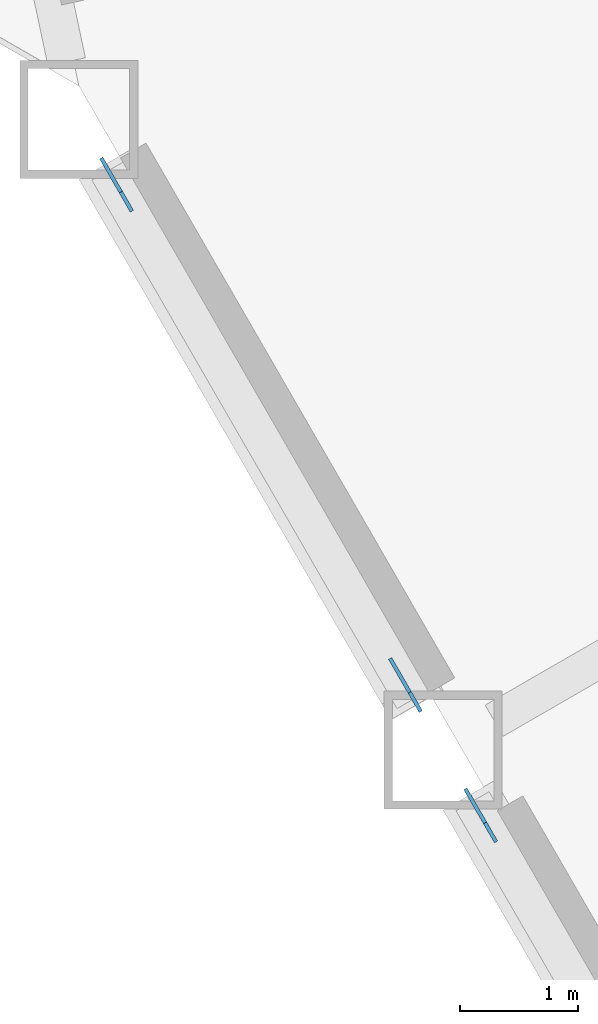
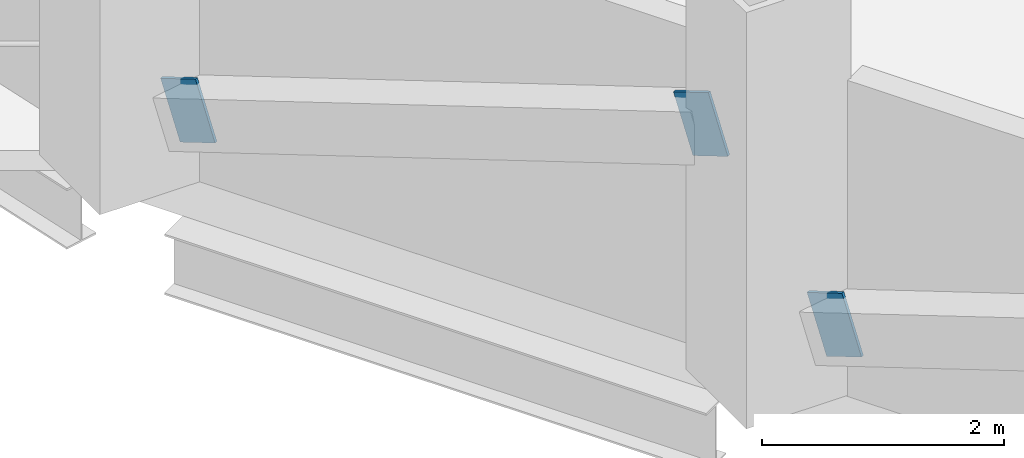
# One storey, part 14 of 21: 3 discrete accessories.
"""IFC4 building model written with IfcOpenShell, lengths in metres."""

from ifc_helpers import new_model, si_unit, direction, frame, origin, origin_2d, place, context, subcontext, project, spatial, rectangle, extrude, material, material_profile, profile_set, type_object, element, save


model = new_model("IFC4")

# Units and contexts
model_context = context("Model", 3, precision=1e-05, world=origin(), true_north=direction((0.0, 1.0)))
body_context = subcontext(model_context, "Body", "Model", "MODEL_VIEW")
ifc_project = project(units=[si_unit("LENGTHUNIT", "METRE"), si_unit("AREAUNIT", "SQUARE_METRE"), si_unit("VOLUMEUNIT", "CUBIC_METRE"), si_unit("PLANEANGLEUNIT", "RADIAN"), si_unit("MASSUNIT", "GRAM", prefix="KILO")], contexts=[model_context])

# Site, building, storey
site_placement = place(None, origin())
site = spatial("IfcSite", under=ifc_project, at=site_placement, CompositionType="ELEMENT")
building_placement = place(site_placement, origin())
building = spatial("IfcBuilding", under=site, at=building_placement, Name="Cormorant Prow Tower", CompositionType="ELEMENT")
storey_placement = place(building_placement, frame((0.0, 0.0, 67.800048828125)))
storey = spatial("IfcBuildingStorey", under=building, at=storey_placement, Name="L14", CompositionType="ELEMENT", Elevation=67.800048828125)

# Discrete accessories
ifc_material = material(Name="Structural steel ASTM A500 Gr C", Category="steel")
ifc_material_profile = material_profile(ifc_material, rectangle(XDim=0.031982421875, YDim=0.60791015625, at=origin_2d()), Name="Gusset plate 32x608")
ifc_profile_set = profile_set([ifc_material_profile], Name="Structural steel ASTM A500 Gr C")
discrete_accessory_type = type_object("IfcDiscreteAccessoryType", Name="Gusset plate 32x608", PredefinedType="BRACKET", material=ifc_profile_set)
discrete_accessory_placement = place(storey_placement, frame((-30.597900390625, -11.47021484375, 0.859130859375), z_axis=(-0.475651503409, 0.824369614413, -0.306871937683), x_axis=(-0.866161185697, -0.499764745047, 0.0)))
element("IfcDiscreteAccessory", 1, at=discrete_accessory_placement, inside=storey, type_object=discrete_accessory_type, Name="Gusset plate GP1 L14.WSW00.g0", PredefinedType="BRACKET", context=body_context, shape_type="SweptSolid", body=[
    extrude(rectangle(XDim=0.031982421875, YDim=0.60791015625, at=origin_2d()), origin(), (0.0, 0.0, 1.0), 0.35009765625),
])
for number, where, z_axis, x_axis, name in (
    (2, (-28.3173828125, -15.42041015625, 2.32958984375), (0.476464602218, -0.823872174553, 0.306946449452), (0.865660382551, 0.500631703033, 0.0), "Gusset plate GP1 L14.WSW00.g1"),
    (3, (-27.512939453125, -16.813232421875, 0.859130859375), (-0.476464602218, 0.823872174553, -0.306946449452), (-0.865660382551, -0.500631703033, 0.0), "Gusset plate GP1 L14.WSW01.g0"),
):
    element("IfcDiscreteAccessory", number, at=place(storey_placement, frame(where, z_axis=z_axis, x_axis=x_axis)), inside=storey, type_object=discrete_accessory_type, Name=name, PredefinedType="BRACKET", context=body_context, shape_type="SweptSolid", body=[
        extrude(rectangle(XDim=0.031982421875, YDim=0.60791015625, at=origin_2d()), origin(), (0.0, 0.0, 1.0), 0.349853515625),
    ])

save(model, "model.ifc")
